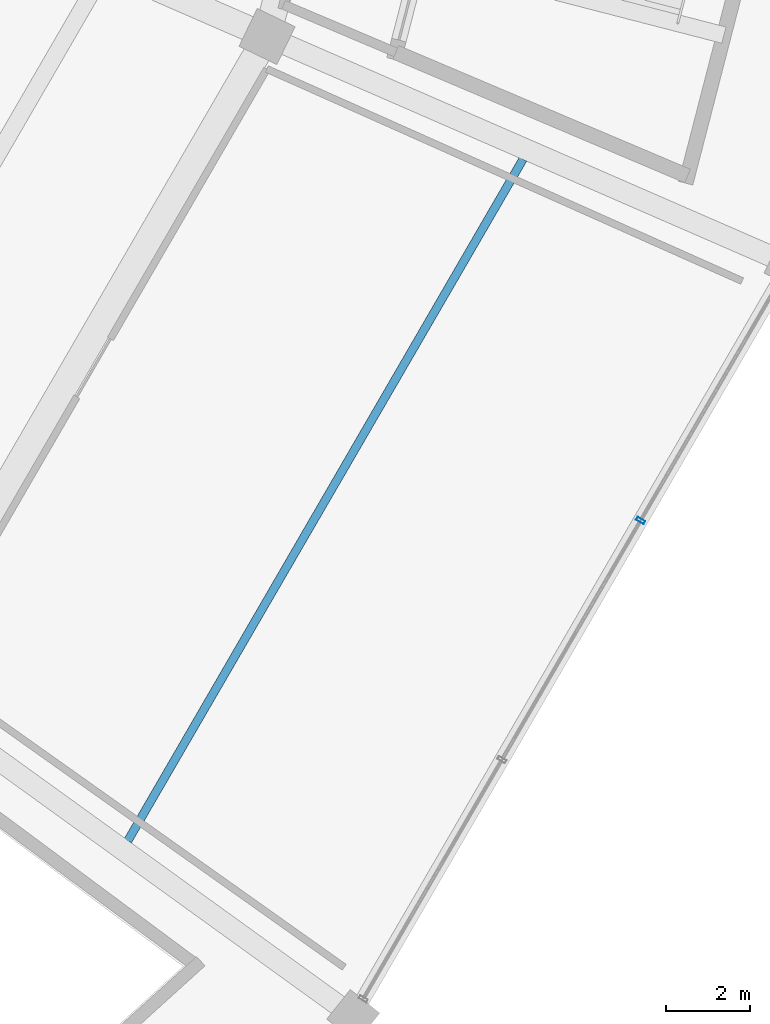
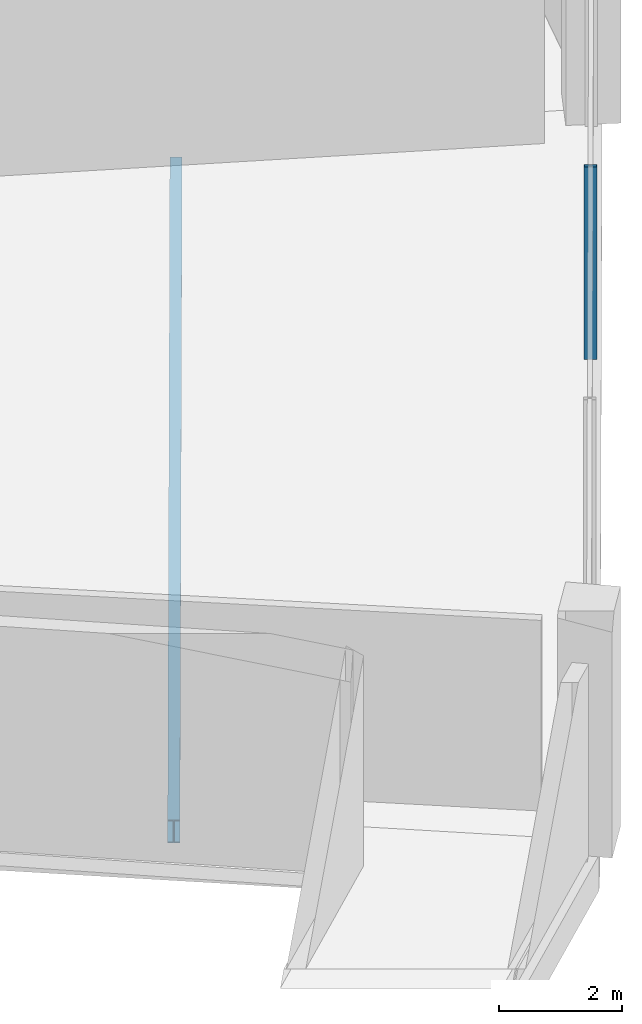
# One storey, part 62 of 171: 1 beam, 1 member, 1 element without a shape of its own.
"""IFC4 building model written with IfcOpenShell, lengths in metres."""

from ifc_helpers import new_model, si_unit, direction, frame, origin, origin_2d, place, context, subcontext, project, spatial, hollow_rectangle, i_section, extrude, material, layer, layer_set, material_profile, profile_set, type_object, element, aggregate, save


model = new_model("IFC4")

# Units and contexts
model_context = context("Model", 3, precision=1e-05, world=origin(), true_north=direction((0.0, 1.0)))
body_context = subcontext(model_context, "Body", "Model", "MODEL_VIEW")
ifc_project = project(units=[si_unit("LENGTHUNIT", "METRE"), si_unit("AREAUNIT", "SQUARE_METRE"), si_unit("VOLUMEUNIT", "CUBIC_METRE"), si_unit("PLANEANGLEUNIT", "RADIAN"), si_unit("MASSUNIT", "GRAM", prefix="KILO")], contexts=[model_context])

# Site, building, storey
site_placement = place(None, origin())
site = spatial("IfcSite", under=ifc_project, at=site_placement, CompositionType="ELEMENT")
building_placement = place(site_placement, origin())
building = spatial("IfcBuilding", under=site, at=building_placement, Name="Kazemori Nagisa Stadium", CompositionType="ELEMENT")
storey_placement = place(building_placement, frame((0.0, 0.0, 15.639892578125)))
storey = spatial("IfcBuildingStorey", under=building, at=storey_placement, Name="L03", CompositionType="ELEMENT", Elevation=15.639892578125)

# Beam
ifc_material_1 = material(Name="Steel SN490B", Category="steel")
ifc_material_profile_1 = material_profile(ifc_material_1, i_section(OverallWidth=0.199951171875, OverallDepth=0.449951171875, WebThickness=0.009033203125, FlangeThickness=0.013916015625, FilletRadius=0.012939453125, at=origin_2d()), Name="H-450x200x9x14")
ifc_profile_set_1 = profile_set([ifc_material_profile_1], Name="Steel SN490B")
beam_type = type_object("IfcBeamType", Name="Beam_BJ-H450", PredefinedType="JOIST", material=ifc_profile_set_1)
beam_placement = place(storey_placement, frame((196.12353515625, 49.510986328125, -0.48486328125), z_axis=(0.501610844533, 0.865093382616, 0.0), x_axis=(-0.865093382616, 0.501610844533, 0.0)))
element("IfcBeam", 1, at=beam_placement, inside=storey, type_object=beam_type, Name="Outer bay joist BJ-H450 L03 B26", PredefinedType="JOIST", context=body_context, shape_type="SweptSolid", body=[
    extrude(i_section(OverallWidth=0.199951171875, OverallDepth=0.449951171875, WebThickness=0.009033203125, FlangeThickness=0.013916015625, FilletRadius=0.012939453125, at=origin_2d()), origin(), (0.0, 0.0, 1.0), 18.7724609375),
])

# Curtain wall, member
ifc_material_2 = material(Name="Anodised aluminium 6063-T5", Category="aluminium")
ifc_layer = layer(ifc_material_2, 0.2099609375, Name="Anodised aluminium 6063-T5", Category="aluminium")
ifc_layer_set = layer_set([ifc_layer], Name="Anodised aluminium 6063-T5")
curtain_wall_type = type_object("IfcCurtainWallType", Name="CW_L03R3_99", PredefinedType="USERDEFINED", material=ifc_layer_set)
curtain_wall_placement = place(storey_placement, origin())
curtain_wall = element("IfcCurtainWall", 2, at=curtain_wall_placement, inside=storey, type_object=curtain_wall_type, Name="Unitised curtain wall CW-L03R3-99 L03", ObjectType="UNITISED CURTAIN WALL", PredefinedType="USERDEFINED")
ifc_material_3 = material(Name="Aluminium 6063-T5 anodised", Category="aluminium")
ifc_material_profile_2 = material_profile(ifc_material_3, hollow_rectangle(XDim=0.080078125, YDim=0.2099609375, WallThickness=0.0048828125, at=origin_2d()), Name="ALU-MULL-80x210x5")
ifc_profile_set_2 = profile_set([ifc_material_profile_2], Name="Aluminium 6063-T5 anodised")
member_type = type_object("IfcMemberType", Name="Mullion_M02", PredefinedType="MULLION", material=ifc_profile_set_2)
member_placement = place(storey_placement, frame((208.34228515625, 57.140869140625, 0.0), z_axis=(0.0, 0.0, 1.0), x_axis=(0.501611590054, 0.865092950337, 0.0)))
member = element("IfcMember", 3, at=member_placement, type_object=member_type, Name="Curtain wall mullion CW-L03R3-99-M3", PredefinedType="MULLION", context=body_context, shape_type="SweptSolid", body=[
    extrude(hollow_rectangle(XDim=0.080078125, YDim=0.2099609375, WallThickness=0.0048828125, at=origin_2d()), origin(), (0.0, 0.0, 1.0), 3.81005859375),
])
aggregate(curtain_wall, [member])

save(model, "model.ifc")
